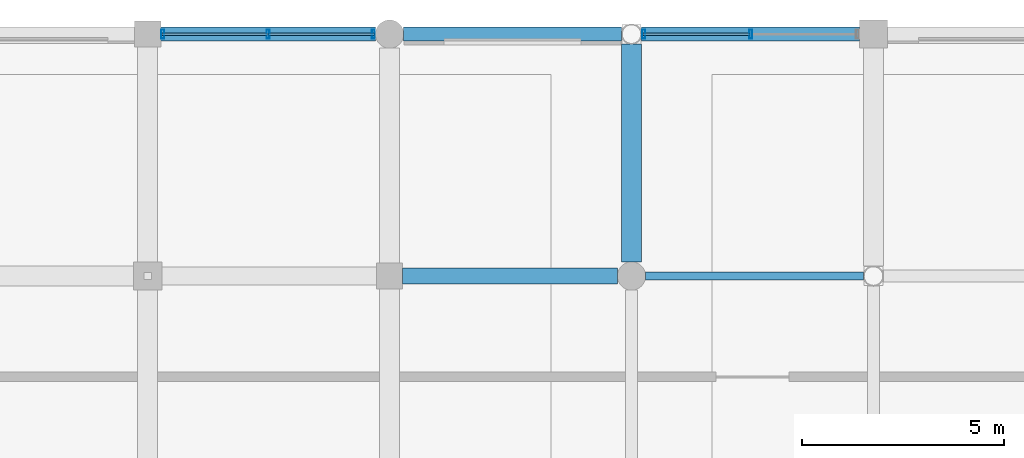
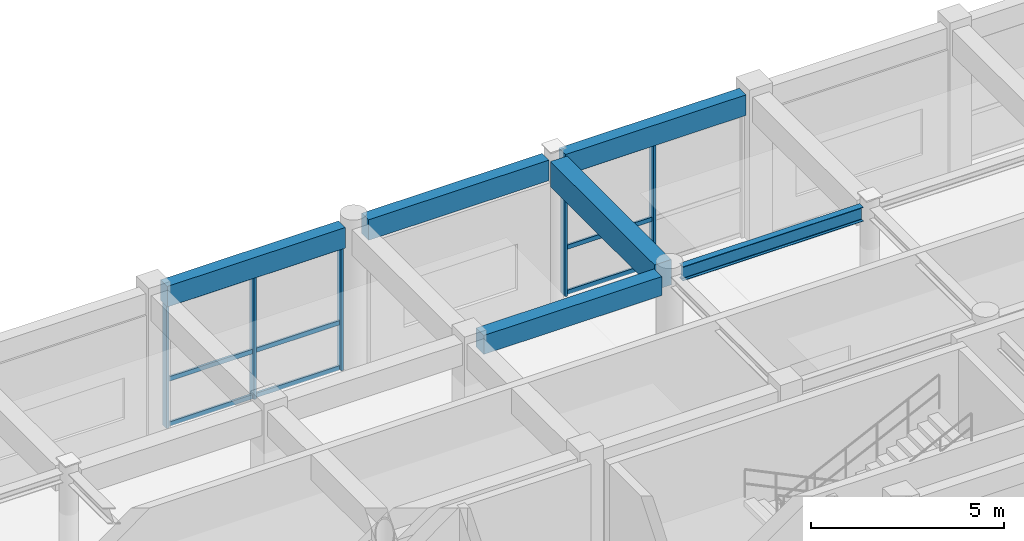
# One storey, part 53 of 112: 14 members, 6 beams, 2 elements without a shape of their own.
"""IFC4 building model written with IfcOpenShell, lengths in metres."""

import ifcopenshell
import ifcopenshell.guid

model = None  # the IFC model being written
_history = None  # IfcOwnerHistory: only IFC2X3 demands one
_inside = {}  # id of a spatial element -> (the spatial element, [elements in it])
_under = {}  # id of a project, library or spatial element -> (it, [spatial elements below it])
_declared = {}  # id of a project -> (the project, [libraries it declares])
_typed = {}  # id of a type object -> (the type object, [elements of that type])
_made_of = {}  # id of a material, layer set ... -> (it, [elements and type objects made of it])


def new_model(schema):
    """Start an empty IFC model of exactly this schema.

    Asked for "IFC4X3", IfcOpenShell would pick the latest addendum, in which some entities
    have other attributes; the version numbers below select the first issue.
    IFC2X3 requires an IfcOwnerHistory on every rooted entity: one is made here for all.
    """
    global model, _history
    if schema == "IFC4X3":
        model = ifcopenshell.file(schema_version=(4, 3, 0, 0))
    else:
        model = ifcopenshell.file(schema=schema)
    _inside.clear()
    _under.clear()
    _declared.clear()
    _typed.clear()
    _made_of.clear()
    _history = None
    if model.schema == "IFC2X3":
        org = make("IfcOrganization", Name="unknown")
        user = make(
            "IfcPersonAndOrganization",
            ThePerson=make("IfcPerson", FamilyName="unknown"),
            TheOrganization=org,
        )
        app = make(
            "IfcApplication",
            ApplicationDeveloper=org,
            Version="unknown",
            ApplicationFullName="unknown",
            ApplicationIdentifier="unknown",
        )
        _history = make(
            "IfcOwnerHistory",
            OwningUser=user,
            OwningApplication=app,
            ChangeAction="ADDED",
            CreationDate=0,
        )
    return model


def make(cls, **values):
    """One entity of the class cls with the attributes given. An attribute that is None is left unset."""
    return model.create_entity(
        cls, **{name: value for name, value in values.items() if value is not None}
    )


def rooted(cls, **values):
    """An entity with a GlobalId (a new one), such as an element, a storey or a relation."""
    return make(cls, GlobalId=ifcopenshell.guid.new(), OwnerHistory=_history, **values)


def si_unit(unit_type, name, prefix=None):
    """IfcSIUnit, for example si_unit("LENGTHUNIT", "METRE", prefix="MILLI")."""
    return make("IfcSIUnit", UnitType=unit_type, Prefix=prefix, Name=name)


def assignment(units):
    """IfcUnitAssignment: the units of a project."""
    return None if units is None else make("IfcUnitAssignment", Units=units)


def point(xyz):
    """IfcCartesianPoint."""
    return None if xyz is None else make("IfcCartesianPoint", Coordinates=xyz)


def direction(xyz):
    """IfcDirection."""
    return None if xyz is None else make("IfcDirection", DirectionRatios=xyz)


def frame(location, z_axis=None, x_axis=None):
    """IfcAxis2Placement3D, a coordinate frame: its origin and axes. An axis left out is left unset."""
    return make(
        "IfcAxis2Placement3D",
        Location=point(location),
        Axis=direction(z_axis),
        RefDirection=direction(x_axis),
    )


def frame_2d(location, x_axis=None):
    """IfcAxis2Placement2D, a coordinate frame in the plane: its origin and x axis."""
    return make(
        "IfcAxis2Placement2D", Location=point(location), RefDirection=direction(x_axis)
    )


def origin():
    """The frame at (0, 0, 0) with its axes left unset."""
    return frame((0.0, 0.0, 0.0))


def origin_2d():
    """The frame at (0, 0) in the plane with its x axis left unset."""
    return frame_2d((0.0, 0.0))


def place(relative_to, where):
    """IfcLocalPlacement: puts the frame where relative to a parent placement (None: the world)."""
    return make(
        "IfcLocalPlacement", PlacementRelTo=relative_to, RelativePlacement=where
    )


def context(
    kind, dimensions, precision=None, world=None, true_north=None, identifier=None
):
    """IfcGeometricRepresentationContext, for example the 3D "Model" context."""
    return make(
        "IfcGeometricRepresentationContext",
        ContextIdentifier=identifier,
        ContextType=kind,
        CoordinateSpaceDimension=dimensions,
        Precision=precision,
        WorldCoordinateSystem=world,
        TrueNorth=true_north,
    )


def subcontext(parent, identifier, kind, view, scale=None):
    """IfcGeometricRepresentationSubContext, for example "Body" below "Model"."""
    return make(
        "IfcGeometricRepresentationSubContext",
        ContextIdentifier=identifier,
        ContextType=kind,
        ParentContext=parent,
        TargetScale=scale,
        TargetView=view,
    )


def project(units=None, contexts=None):
    """IfcProject with its units and contexts."""
    return rooted(
        "IfcProject",
        Name="project",
        RepresentationContexts=contexts,
        UnitsInContext=assignment(units),
    )


def spatial(cls, under=None, at=None, **own):
    """A site, building, storey or space (cls), placed at a placement, below another one or the project."""
    s = rooted(cls, ObjectPlacement=at, **own)
    if under is not None:
        _under.setdefault(under.id(), (under, []))[1].append(s)
    return s


def profile(cls, at=None, kind="AREA", **sizes):
    """A parametric profile (cls). Its sizes go by their IFC names, for example OverallWidth=200.0."""
    return make(cls, ProfileType=kind, Position=at, **sizes)


def rectangle(**sizes):
    """IfcRectangleProfileDef."""
    return profile("IfcRectangleProfileDef", **sizes)


def hollow_rectangle(**sizes):
    """IfcRectangleHollowProfileDef."""
    return profile("IfcRectangleHollowProfileDef", **sizes)


def i_section(**sizes):
    """IfcIShapeProfileDef."""
    return profile("IfcIShapeProfileDef", **sizes)


def extrude(swept, where, along, depth):
    """IfcExtrudedAreaSolid: the profile swept, set in the frame where, extruded along a direction by depth."""
    return make(
        "IfcExtrudedAreaSolid",
        SweptArea=swept,
        Position=where,
        ExtrudedDirection=direction(along),
        Depth=depth,
    )


def shape(context_of_items, identifier, shape_type, items):
    """IfcShapeRepresentation: the items that make up one representation, for example the "Body"."""
    return make(
        "IfcShapeRepresentation",
        ContextOfItems=context_of_items,
        RepresentationIdentifier=identifier,
        RepresentationType=shape_type,
        Items=items,
    )


def material(Name=None, Category=None):
    """IfcMaterial."""
    return make("IfcMaterial", Name=Name, Category=Category)


def material_profile(
    of_material, cross_section, Name=None, Category=None, Priority=None
):
    """IfcMaterialProfile: a cross section and its material."""
    return make(
        "IfcMaterialProfile",
        Name=Name,
        Material=of_material,
        Profile=cross_section,
        Priority=Priority,
        Category=Category,
    )


def profile_set(profiles, Name=None, composite=None):
    """IfcMaterialProfileSet."""
    return make(
        "IfcMaterialProfileSet",
        Name=Name,
        MaterialProfiles=profiles,
        CompositeProfile=composite,
    )


def made_of(thing, what):
    """Note that an element or type object is made of a material, layer set ...; save() writes the relation."""
    if what is not None:
        _made_of.setdefault(what.id(), (what, []))[1].append(thing)
    return thing


def type_object(cls, material=None, **own):
    """A type object (cls), such as IfcWallType, which elements share."""
    return made_of(rooted(cls, **own), material)


def element(
    cls,
    number,
    at=None,
    inside=None,
    cuts=None,
    type_object=None,
    material=None,
    context=None,
    identifier="Body",
    shape_type=None,
    held_by="IfcProductDefinitionShape",
    body=None,
    shapes=None,
    **own,
):
    """One element of the class cls, such as IfcWall. Its Tag is "e" and its number.

    at: its placement. inside: the storey or other place that contains it. cuts: it is an
    opening in that element (IfcRelVoidsElement). A single representation is given by context,
    identifier, shape_type and body (its items); several are given by shapes. held_by: the class
    of the entity that holds the representations. save() writes the other relations.
    """
    e = rooted(cls, Tag="e%d" % number, ObjectPlacement=at, **own)
    if body is not None:
        shapes = [shape(context, identifier, shape_type, body)]
    if shapes is not None:
        e.Representation = make(held_by, Representations=shapes)
    if inside is not None:
        _inside.setdefault(inside.id(), (inside, []))[1].append(e)
    if cuts is not None:
        rooted(
            "IfcRelVoidsElement", RelatingBuildingElement=cuts, RelatedOpeningElement=e
        )
    if type_object is not None:
        _typed.setdefault(type_object.id(), (type_object, []))[1].append(e)
    return made_of(e, material)


def aggregate(whole, parts):
    """IfcRelAggregates: a whole, such as a stair, and the parts it consists of."""
    return rooted("IfcRelAggregates", RelatingObject=whole, RelatedObjects=parts)


def save(model, path):
    """Write the relations noted so far, then the file.

    IfcRelAggregates (storeys below a building ...), IfcRelContainedInSpatialStructure (elements
    in a storey), IfcRelDefinesByType, IfcRelAssociatesMaterial and IfcRelDeclares: one each for
    every whole, place, type object, material and project.
    """
    for whole, parts in _under.values():
        aggregate(whole, parts)
    for where, things in _inside.values():
        rooted(
            "IfcRelContainedInSpatialStructure",
            RelatedElements=things,
            RelatingStructure=where,
        )
    for kind, things in _typed.values():
        rooted("IfcRelDefinesByType", RelatedObjects=things, RelatingType=kind)
    for what, things in _made_of.values():
        rooted("IfcRelAssociatesMaterial", RelatedObjects=things, RelatingMaterial=what)
    for by, libraries in _declared.values():
        rooted("IfcRelDeclares", RelatingContext=by, RelatedDefinitions=libraries)
    model.write(path)


model = new_model("IFC4")

# Units and contexts
model_context = context("Model", 3, precision=1e-05, world=origin(), true_north=direction((0.0, 1.0)))
body_context = subcontext(model_context, "Body", "Model", "MODEL_VIEW")
ifc_project = project(units=[si_unit("LENGTHUNIT", "METRE"), si_unit("AREAUNIT", "SQUARE_METRE"), si_unit("VOLUMEUNIT", "CUBIC_METRE"), si_unit("PLANEANGLEUNIT", "RADIAN"), si_unit("MASSUNIT", "GRAM", prefix="KILO"), si_unit("THERMODYNAMICTEMPERATUREUNIT", "KELVIN"), si_unit("POWERUNIT", "WATT")], contexts=[model_context])

# Site, building, storey
site_placement = place(None, origin())
site = spatial("IfcSite", under=ifc_project, at=site_placement, CompositionType="ELEMENT")
building_placement = place(site_placement, origin())
building = spatial("IfcBuilding", under=site, at=building_placement, Name="Phaisarnlok Congress Hotel", CompositionType="ELEMENT")
storey_placement = place(building_placement, frame((0.0, 0.0, 19.800048828125)))
storey = spatial("IfcBuildingStorey", under=building, at=storey_placement, Name="L04", CompositionType="ELEMENT", Elevation=19.800048828125)

# Beams
ifc_material_1 = material(Name="Concrete C40/50", Category="concrete")
ifc_material_profile_1 = material_profile(ifc_material_1, rectangle(XDim=0.39990234375, YDim=0.60009765625, at=origin_2d()), Name="RC 400x600")
ifc_profile_set_1 = profile_set([ifc_material_profile_1], Name="Concrete C40/50")
beam_type_1 = type_object("IfcBeamType", Name="BM-RC-400x600", PredefinedType="BEAM", material=ifc_profile_set_1)
beam_1_placement = place(storey_placement, frame((102.320068359375, 120.0, 4.25), z_axis=(1.0, 0.0, 0.0), x_axis=(0.0, 1.0, 0.0)))
element("IfcBeam", 1, at=beam_1_placement, inside=storey, type_object=beam_type_1, Name="Beam B-02", PredefinedType="BEAM", context=body_context, shape_type="SweptSolid", body=[
    extrude(rectangle(XDim=0.39990234375, YDim=0.60009765625, at=origin_2d()), origin(), (0.0, 0.0, 1.0), 5.3349609375),
])
ifc_material_profile_2 = material_profile(ifc_material_1, rectangle(XDim=0.5, YDim=0.800048828125, at=origin_2d()), Name="RC 500x800")
ifc_profile_set_2 = profile_set([ifc_material_profile_2], Name="Concrete C40/50")
beam_type_2 = type_object("IfcBeamType", Name="BM-RC-500x800", PredefinedType="BEAM", material=ifc_profile_set_2)
beam_2_placement = place(storey_placement, frame((108.0, 120.344970703125, 4.14990234375), z_axis=(0.0, 1.0, 0.0), x_axis=(-1.0, 0.0, 0.0)))
element("IfcBeam", 2, at=beam_2_placement, inside=storey, type_object=beam_type_2, Name="Beam B-04", PredefinedType="BEAM", context=body_context, shape_type="SweptSolid", body=[
    extrude(rectangle(XDim=0.5, YDim=0.800048828125, at=origin_2d()), origin(), (0.0, 0.0, 1.0), 5.406005859375),
])
ifc_material_2 = material(Name="Steel S355", Category="steel")
ifc_material_profile_3 = material_profile(ifc_material_2, i_section(OverallWidth=0.18994140625, OverallDepth=0.449951171875, WebThickness=0.009521484375, FlangeThickness=0.0146484375, FilletRadius=0.02099609375, at=origin_2d()), Name="IPE 450")
ifc_profile_set_3 = profile_set([ifc_material_profile_3], Name="Steel S355")
beam_type_3 = type_object("IfcBeamType", Name="BM-STL-IPE450", PredefinedType="BEAM", material=ifc_profile_set_3)
beam_3_placement = place(storey_placement, frame((108.344970703125, 120.0, 4.324951171875), z_axis=(1.0, 0.0, 0.0), x_axis=(0.0, 1.0, 0.0)))
element("IfcBeam", 3, at=beam_3_placement, inside=storey, type_object=beam_type_3, Name="Beam SB-01", PredefinedType="BEAM", context=body_context, shape_type="SweptSolid", body=[
    extrude(i_section(OverallWidth=0.18994140625, OverallDepth=0.449951171875, WebThickness=0.009521484375, FlangeThickness=0.0146484375, FilletRadius=0.02099609375, at=origin_2d()), origin(), (0.0, 0.0, 1.0), 5.406005859375),
])

# Curtain wall, members
ifc_material_3 = material(Name="Thermally Broken Unitised Aluminium & Low-E Glazing", Category="aluminium")
curtain_wall_type_1 = type_object("IfcCurtainWallType", Name="CW-UNIT-34", PredefinedType="NOTDEFINED", material=ifc_material_3)
curtain_wall_1_placement = place(storey_placement, origin())
curtain_wall_1 = element("IfcCurtainWall", 4, at=curtain_wall_1_placement, inside=storey, type_object=curtain_wall_type_1, Name="Unitised curtain wall CW-34 (L04)", PredefinedType="NOTDEFINED")
ifc_material_4 = material(Name="Anodised Aluminium Alloy 6063-T6", Category="aluminium")
ifc_material_profile_4 = material_profile(ifc_material_4, hollow_rectangle(XDim=0.074951171875, YDim=0.219970703125, WallThickness=0.0048828125, at=origin_2d()), Name="ALU-M 75x220x5")
ifc_profile_set_4 = profile_set([ifc_material_profile_4], Name="Anodised Aluminium Alloy 6063-T6")
member_type_1 = type_object("IfcMemberType", Name="CWM-220", PredefinedType="MULLION", material=ifc_profile_set_4)
member_1_placement = place(storey_placement, frame((110.951904296875, 126.0, 0.0), z_axis=(0.0, 0.0, 1.0), x_axis=(-1.0, 0.0, 0.0)))
member_1 = element("IfcMember", 5, at=member_1_placement, type_object=member_type_1, Name="Curtain wall mullion CWM-02", PredefinedType="MULLION", context=body_context, shape_type="SweptSolid", body=[
    extrude(hollow_rectangle(XDim=0.074951171875, YDim=0.219970703125, WallThickness=0.0048828125, at=origin_2d()), origin(), (0.0, 0.0, 1.0), 3.89990234375),
])
member_2_placement = place(storey_placement, frame((108.303955078125, 126.0, 0.0), z_axis=(0.0, 0.0, 1.0), x_axis=(-1.0, 0.0, 0.0)))
member_2 = element("IfcMember", 6, at=member_2_placement, type_object=member_type_1, Name="Curtain wall mullion CWM-02", PredefinedType="MULLION", context=body_context, shape_type="SweptSolid", body=[
    extrude(hollow_rectangle(XDim=0.074951171875, YDim=0.219970703125, WallThickness=0.0048828125, at=origin_2d()), origin(), (0.0, 0.0, 1.0), 3.89990234375),
])

curtain_wall_type_2 = type_object("IfcCurtainWallType", Name="CW-UNIT-33", PredefinedType="NOTDEFINED", material=ifc_material_3)
curtain_wall_2_placement = place(storey_placement, origin())
curtain_wall_2 = element("IfcCurtainWall", 7, at=curtain_wall_2_placement, inside=storey, type_object=curtain_wall_type_2, Name="Unitised curtain wall CW-33 (L04)", PredefinedType="NOTDEFINED")
member_3_placement = place(storey_placement, frame((101.60009765625, 126.0, 0.0), z_axis=(0.0, 0.0, 1.0), x_axis=(-1.0, 0.0, 0.0)))
member_3 = element("IfcMember", 8, at=member_3_placement, type_object=member_type_1, Name="Curtain wall mullion CWM-02", PredefinedType="MULLION", context=body_context, shape_type="SweptSolid", body=[
    extrude(hollow_rectangle(XDim=0.074951171875, YDim=0.219970703125, WallThickness=0.0048828125, at=origin_2d()), origin(), (0.0, 0.0, 1.0), 3.89990234375),
])
member_4_placement = place(storey_placement, frame((98.987548828125, 126.0, 0.0), z_axis=(0.0, 0.0, 1.0), x_axis=(-1.0, 0.0, 0.0)))
member_4 = element("IfcMember", 9, at=member_4_placement, type_object=member_type_1, Name="Curtain wall mullion CWM-02", PredefinedType="MULLION", context=body_context, shape_type="SweptSolid", body=[
    extrude(hollow_rectangle(XDim=0.074951171875, YDim=0.219970703125, WallThickness=0.0048828125, at=origin_2d()), origin(), (0.0, 0.0, 1.0), 3.89990234375),
])
member_5_placement = place(storey_placement, frame((96.375, 126.0, 0.0), z_axis=(0.0, 0.0, 1.0), x_axis=(-1.0, 0.0, 0.0)))
member_5 = element("IfcMember", 10, at=member_5_placement, type_object=member_type_1, Name="Curtain wall mullion CWM-02", PredefinedType="MULLION", context=body_context, shape_type="SweptSolid", body=[
    extrude(hollow_rectangle(XDim=0.074951171875, YDim=0.219970703125, WallThickness=0.0048828125, at=origin_2d()), origin(), (0.0, 0.0, 1.0), 3.89990234375),
])

# Member
ifc_material_profile_5 = material_profile(ifc_material_4, hollow_rectangle(XDim=0.06494140625, YDim=0.139892578125, WallThickness=0.00390625, at=origin_2d()), Name="ALU-T 65x140x4")
ifc_profile_set_5 = profile_set([ifc_material_profile_5], Name="Anodised Aluminium Alloy 6063-T6")
member_type_2 = type_object("IfcMemberType", Name="CWT-150", PredefinedType="USERDEFINED", material=ifc_profile_set_5)
member_6_placement = place(storey_placement, frame((110.93701171875, 126.0, 0.050048828125), z_axis=(-1.0, 0.0, 0.0), x_axis=(0.0, -1.0, 0.0)))
member_6 = element("IfcMember", 11, at=member_6_placement, type_object=member_type_2, Name="Curtain wall transom CWT-01", ObjectType="TRANSOM", PredefinedType="USERDEFINED", context=body_context, shape_type="SweptSolid", body=[
    extrude(hollow_rectangle(XDim=0.06494140625, YDim=0.139892578125, WallThickness=0.00390625, at=origin_2d()), origin(), (0.0, 0.0, 1.0), 2.657958984375),
])

member_7_placement = place(storey_placement, frame((110.93701171875, 126.0, 1.48193359375), z_axis=(-1.0, 0.0, 0.0), x_axis=(0.0, -1.0, 0.0)))
member_7 = element("IfcMember", 12, at=member_7_placement, type_object=member_type_2, Name="Curtain wall transom CWT-01", ObjectType="TRANSOM", PredefinedType="USERDEFINED", context=body_context, shape_type="SweptSolid", body=[
    extrude(hollow_rectangle(XDim=0.06494140625, YDim=0.139892578125, WallThickness=0.00390625, at=origin_2d()), origin(), (0.0, 0.0, 1.0), 2.657958984375),
])

member_8_placement = place(storey_placement, frame((110.93701171875, 126.0, 3.849853515625), z_axis=(-1.0, 0.0, 0.0), x_axis=(0.0, -1.0, 0.0)))
member_8 = element("IfcMember", 13, at=member_8_placement, type_object=member_type_2, Name="Curtain wall transom CWT-01", ObjectType="TRANSOM", PredefinedType="USERDEFINED", context=body_context, shape_type="SweptSolid", body=[
    extrude(hollow_rectangle(XDim=0.06494140625, YDim=0.139892578125, WallThickness=0.00390625, at=origin_2d()), origin(), (0.0, 0.0, 1.0), 2.657958984375),
])

aggregate(curtain_wall_1, [member_1, member_2, member_6, member_7, member_8])

member_9_placement = place(storey_placement, frame((101.625, 126.0, 0.050048828125), z_axis=(-1.0, 0.0, 0.0), x_axis=(0.0, -1.0, 0.0)))
member_9 = element("IfcMember", 14, at=member_9_placement, type_object=member_type_2, Name="Curtain wall transom CWT-01", ObjectType="TRANSOM", PredefinedType="USERDEFINED", context=body_context, shape_type="SweptSolid", body=[
    extrude(hollow_rectangle(XDim=0.06494140625, YDim=0.139892578125, WallThickness=0.00390625, at=origin_2d()), origin(), (0.0, 0.0, 1.0), 2.62255859375),
])

member_10_placement = place(storey_placement, frame((101.625, 126.0, 1.48193359375), z_axis=(-1.0, 0.0, 0.0), x_axis=(0.0, -1.0, 0.0)))
member_10 = element("IfcMember", 15, at=member_10_placement, type_object=member_type_2, Name="Curtain wall transom CWT-01", ObjectType="TRANSOM", PredefinedType="USERDEFINED", context=body_context, shape_type="SweptSolid", body=[
    extrude(hollow_rectangle(XDim=0.06494140625, YDim=0.139892578125, WallThickness=0.00390625, at=origin_2d()), origin(), (0.0, 0.0, 1.0), 2.62255859375),
])

member_11_placement = place(storey_placement, frame((101.625, 126.0, 3.849853515625), z_axis=(-1.0, 0.0, 0.0), x_axis=(0.0, -1.0, 0.0)))
member_11 = element("IfcMember", 16, at=member_11_placement, type_object=member_type_2, Name="Curtain wall transom CWT-01", ObjectType="TRANSOM", PredefinedType="USERDEFINED", context=body_context, shape_type="SweptSolid", body=[
    extrude(hollow_rectangle(XDim=0.06494140625, YDim=0.139892578125, WallThickness=0.00390625, at=origin_2d()), origin(), (0.0, 0.0, 1.0), 2.62255859375),
])

member_12_placement = place(storey_placement, frame((98.972412109375, 126.0, 0.050048828125), z_axis=(-1.0, 0.0, 0.0), x_axis=(0.0, -1.0, 0.0)))
member_12 = element("IfcMember", 17, at=member_12_placement, type_object=member_type_2, Name="Curtain wall transom CWT-01", ObjectType="TRANSOM", PredefinedType="USERDEFINED", context=body_context, shape_type="SweptSolid", body=[
    extrude(hollow_rectangle(XDim=0.06494140625, YDim=0.139892578125, WallThickness=0.00390625, at=origin_2d()), origin(), (0.0, 0.0, 1.0), 2.622314453125),
])

member_13_placement = place(storey_placement, frame((98.972412109375, 126.0, 1.48193359375), z_axis=(-1.0, 0.0, 0.0), x_axis=(0.0, -1.0, 0.0)))
member_13 = element("IfcMember", 18, at=member_13_placement, type_object=member_type_2, Name="Curtain wall transom CWT-01", ObjectType="TRANSOM", PredefinedType="USERDEFINED", context=body_context, shape_type="SweptSolid", body=[
    extrude(hollow_rectangle(XDim=0.06494140625, YDim=0.139892578125, WallThickness=0.00390625, at=origin_2d()), origin(), (0.0, 0.0, 1.0), 2.622314453125),
])

member_14_placement = place(storey_placement, frame((98.972412109375, 126.0, 3.849853515625), z_axis=(-1.0, 0.0, 0.0), x_axis=(0.0, -1.0, 0.0)))
member_14 = element("IfcMember", 19, at=member_14_placement, type_object=member_type_2, Name="Curtain wall transom CWT-01", ObjectType="TRANSOM", PredefinedType="USERDEFINED", context=body_context, shape_type="SweptSolid", body=[
    extrude(hollow_rectangle(XDim=0.06494140625, YDim=0.139892578125, WallThickness=0.00390625, at=origin_2d()), origin(), (0.0, 0.0, 1.0), 2.622314453125),
])

aggregate(curtain_wall_2, [member_3, member_4, member_5, member_9, member_10, member_11, member_12, member_13, member_14])

# Beams
ifc_material_profile_6 = material_profile(ifc_material_1, rectangle(XDim=0.35009765625, YDim=0.64990234375, at=origin_2d()), Name="RC 350x650")
ifc_profile_set_6 = profile_set([ifc_material_profile_6], Name="Concrete C40/50")
beam_type_4 = type_object("IfcBeamType", Name="SP-RC-350x650", PredefinedType="SPANDREL", material=ifc_profile_set_6)
beam_4_placement = place(storey_placement, frame((96.320068359375, 126.0, 4.224853515625), z_axis=(1.0, 0.0, 0.0), x_axis=(0.0, 1.0, 0.0)))
element("IfcBeam", 20, at=beam_4_placement, inside=storey, type_object=beam_type_4, Name="Beam SP-01", PredefinedType="SPANDREL", context=body_context, shape_type="SweptSolid", body=[
    extrude(rectangle(XDim=0.35009765625, YDim=0.64990234375, at=origin_2d()), origin(), (0.0, 0.0, 1.0), 5.3349609375),
])
for number, where, z_axis, x_axis, name in (
    (21, (102.344970703125, 126.0, 4.224853515625), (1.0, 0.0, 0.0), (0.0, 1.0, 0.0), "Beam SP-01"),
    (22, (108.2490234375, 126.0, 4.224853515625), (1.0, 0.0, 0.0), (0.0, 1.0, 0.0), "Beam SP-01"),
):
    element("IfcBeam", number, at=place(storey_placement, frame(where, z_axis=z_axis, x_axis=x_axis)), inside=storey, type_object=beam_type_4, Name=name, PredefinedType="SPANDREL", context=body_context, shape_type="SweptSolid", body=[
        extrude(rectangle(XDim=0.35009765625, YDim=0.64990234375, at=origin_2d()), origin(), (0.0, 0.0, 1.0), 5.406005859375),
    ])

save(model, "model.ifc")
